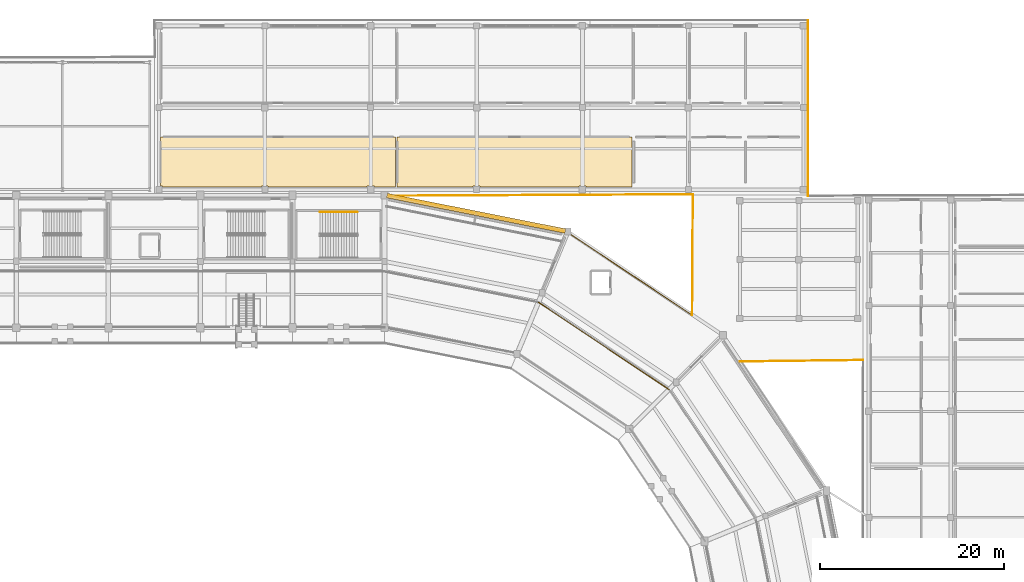
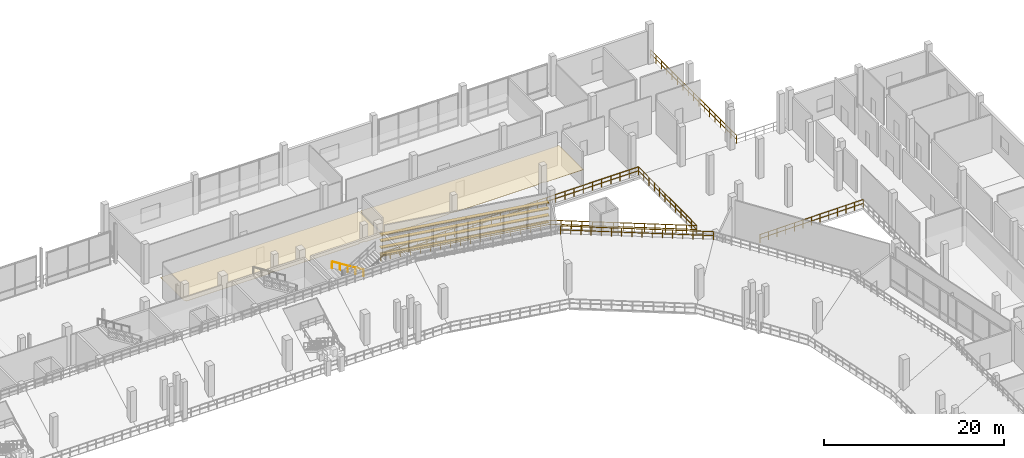
# One storey, part 126 of 127: 8 railings, 4 shading devices, 2 coverings.
"""IFC4 building model written with IfcOpenShell, lengths in metres."""

from ifc_helpers import new_model, si_unit, direction, frame, origin, origin_2d, place, context, subcontext, project, spatial, polyline, rectangle, circle, outline, extrude, material, layer, layer_set, type_object, element, save


model = new_model("IFC4")

# Units and contexts
model_context = context("Model", 3, precision=1e-05, world=origin(), true_north=direction((0.0, 1.0)))
body_context = subcontext(model_context, "Body", "Model", "MODEL_VIEW")
ifc_project = project(units=[si_unit("LENGTHUNIT", "METRE"), si_unit("AREAUNIT", "SQUARE_METRE"), si_unit("VOLUMEUNIT", "CUBIC_METRE"), si_unit("PLANEANGLEUNIT", "RADIAN"), si_unit("MASSUNIT", "GRAM", prefix="KILO")], contexts=[model_context])

# Site, building, storey
site_placement = place(None, origin())
site = spatial("IfcSite", under=ifc_project, at=site_placement, CompositionType="ELEMENT")
building_placement = place(site_placement, origin())
building = spatial("IfcBuilding", under=site, at=building_placement, Name="Candeia Ridge Stadium", CompositionType="ELEMENT")
storey_placement = place(building_placement, frame((0.0, 0.0, 10.800048828125)))
storey = spatial("IfcBuildingStorey", under=building, at=storey_placement, Name="L02", CompositionType="ELEMENT", Elevation=10.800048828125)

# Coverings
ifc_material_1 = material(Name="Western Red Cedar Acoustic Slat", Category="wood")
ifc_layer_1 = layer(ifc_material_1, 0.044921875, Name="Western Red Cedar Acoustic Slat", Category="wood")
ifc_layer_set_1 = layer_set([ifc_layer_1], Name="Western Red Cedar Acoustic Slat")
covering_type = type_object("IfcCoveringType", Name="Slatted Cedar Acoustic Ceiling 45", PredefinedType="CEILING", material=ifc_layer_set_1)
covering_1_placement = place(storey_placement, frame((0.0, 0.0, 2.510009765625)))
element("IfcCovering", 1, at=covering_1_placement, inside=storey, type_object=covering_type, Name="Acoustic ceiling North Corporate Suite N01 Bowl Side", PredefinedType="CEILING", context=body_context, shape_type="SweptSolid", body=[
    extrude(outline(polyline([(116.670166015625, 153.302978515625), (116.670654296875, 153.305908203125), (116.67138671875, 153.30859375), (116.67236328125, 153.3115234375), (116.673583984375, 153.314208984375), (116.675048828125, 153.316650390625), (116.6767578125, 153.319091796875), (116.6787109375, 153.3212890625), (116.680908203125, 153.3232421875), (116.683349609375, 153.324951171875), (116.685791015625, 153.326416015625), (116.6884765625, 153.32763671875), (116.69140625, 153.32861328125), (116.694091796875, 153.329345703125), (116.697021484375, 153.329833984375), (116.699951171875, 153.330078125), (142.178955078125, 153.330078125), (142.181884765625, 153.329833984375), (142.184814453125, 153.329345703125), (142.187744140625, 153.32861328125), (142.1904296875, 153.32763671875), (142.193115234375, 153.326416015625), (142.19580078125, 153.324951171875), (142.197998046875, 153.3232421875), (142.2001953125, 153.3212890625), (142.2021484375, 153.319091796875), (142.203857421875, 153.316650390625), (142.20556640625, 153.314208984375), (142.206787109375, 153.3115234375), (142.207763671875, 153.30859375), (142.20849609375, 153.305908203125), (142.208984375, 153.302978515625), (142.208984375, 153.300048828125), (142.208984375, 147.89990234375), (142.208984375, 147.897216796875), (142.20849609375, 147.89404296875), (142.207763671875, 147.891357421875), (142.206787109375, 147.888427734375), (142.20556640625, 147.885986328125), (142.203857421875, 147.88330078125), (142.2021484375, 147.881103515625), (142.2001953125, 147.87890625), (142.197998046875, 147.876708984375), (142.19580078125, 147.875), (142.193115234375, 147.87353515625), (142.1904296875, 147.872314453125), (142.187744140625, 147.871337890625), (142.184814453125, 147.87060546875), (142.181884765625, 147.8701171875), (142.178955078125, 147.8701171875), (139.889892578125, 147.8701171875), (139.889892578125, 147.989990234375), (139.110107421875, 147.989990234375), (139.110107421875, 147.8701171875), (128.364990234375, 147.8701171875), (128.364990234375, 147.965087890625), (127.635009765625, 147.965087890625), (127.635009765625, 147.8701171875), (116.889892578125, 147.8701171875), (116.889892578125, 147.989990234375), (116.669921875, 147.989990234375), (116.669921875, 153.300048828125), (116.670166015625, 153.302978515625)])), origin(), (0.0, 0.0, 1.0), 0.0400390625),
])
covering_2_placement = place(storey_placement, frame((0.0, 0.0, 2.510009765625)))
element("IfcCovering", 2, at=covering_2_placement, inside=storey, type_object=covering_type, Name="Acoustic ceiling North Corporate Suite N02 Bowl Side", PredefinedType="CEILING", context=body_context, shape_type="SweptSolid", body=[
    extrude(outline(polyline([(142.373046875, 147.87060546875), (142.370361328125, 147.871337890625), (142.367431640625, 147.872314453125), (142.364990234375, 147.87353515625), (142.3623046875, 147.875), (142.360107421875, 147.876708984375), (142.35791015625, 147.87890625), (142.355712890625, 147.881103515625), (142.35400390625, 147.88330078125), (142.3525390625, 147.885986328125), (142.351318359375, 147.888427734375), (142.350341796875, 147.891357421875), (142.349609375, 147.89404296875), (142.34912109375, 147.897216796875), (142.34912109375, 147.89990234375), (142.34912109375, 153.300048828125), (142.34912109375, 153.302978515625), (142.349609375, 153.305908203125), (142.350341796875, 153.30859375), (142.351318359375, 153.3115234375), (142.3525390625, 153.314208984375), (142.35400390625, 153.316650390625), (142.355712890625, 153.319091796875), (142.35791015625, 153.3212890625), (142.360107421875, 153.3232421875), (142.3623046875, 153.324951171875), (142.364990234375, 153.326416015625), (142.367431640625, 153.32763671875), (142.370361328125, 153.32861328125), (142.373046875, 153.329345703125), (142.376220703125, 153.329833984375), (142.37890625, 153.330078125), (167.85791015625, 153.330078125), (167.86083984375, 153.329833984375), (167.864013671875, 153.329345703125), (167.86669921875, 153.32861328125), (167.869384765625, 153.32763671875), (167.8720703125, 153.326416015625), (167.874755859375, 153.324951171875), (167.876953125, 153.3232421875), (167.879150390625, 153.3212890625), (167.881103515625, 153.319091796875), (167.8828125, 153.316650390625), (167.884521484375, 153.314208984375), (167.8857421875, 153.3115234375), (167.88671875, 153.30859375), (167.887451171875, 153.305908203125), (167.887939453125, 153.302978515625), (167.887939453125, 153.300048828125), (167.887939453125, 147.89990234375), (167.887939453125, 147.897216796875), (167.887451171875, 147.89404296875), (167.88671875, 147.891357421875), (167.8857421875, 147.888427734375), (167.884521484375, 147.885986328125), (167.8828125, 147.88330078125), (167.881103515625, 147.881103515625), (167.879150390625, 147.87890625), (167.876953125, 147.876708984375), (167.874755859375, 147.875), (167.8720703125, 147.87353515625), (167.869384765625, 147.872314453125), (167.86669921875, 147.871337890625), (167.864013671875, 147.87060546875), (167.86083984375, 147.8701171875), (167.85791015625, 147.8701171875), (162.889892578125, 147.8701171875), (162.889892578125, 147.989990234375), (162.110107421875, 147.989990234375), (162.110107421875, 147.8701171875), (151.364990234375, 147.8701171875), (151.364990234375, 147.965087890625), (150.635009765625, 147.965087890625), (150.635009765625, 147.8701171875), (142.37890625, 147.8701171875), (142.376220703125, 147.8701171875), (142.373046875, 147.87060546875)])), origin(), (0.0, 0.0, 1.0), 0.0400390625),
])

# Railings
ifc_material_2 = material(Name="Galvanized Powder-Coated Steel", Category="steel")
ifc_layer_2 = layer(ifc_material_2, 0.074951171875, Name="Galvanized Powder-Coated Steel", Category="steel")
ifc_layer_set_2 = layer_set([ifc_layer_2], Name="Galvanized Powder-Coated Steel")
railing_type_1 = type_object("IfcRailingType", Name="Spectator Bowl Front Guardrail 1120", PredefinedType="GUARDRAIL", material=ifc_layer_set_2)
railing_1_placement = place(storey_placement, frame((171.886474609375, 125.886474609375, 4.949951171875)))
element("IfcRailing", 3, at=railing_1_placement, inside=storey, type_object=railing_type_1, Name="Stand T2 rear safety guardrail bay 35", PredefinedType="GUARDRAIL", context=body_context, shape_type="SweptSolid", body=[
    extrude(circle(Radius=0.02392578125, at=origin_2d()), frame((0.0, 0.0, 1.09619140625), z_axis=(-0.831474647059, 0.5555626979, 0.0), x_axis=(-0.5555626979, -0.831474647059, 0.0)), (0.0, 0.0, 1.0), 17.043212890625),
    extrude(circle(Radius=0.02392578125, at=origin_2d()), frame((0.0, 0.0, 0.56005859375), z_axis=(-0.831474647059, 0.5555626979, 0.0), x_axis=(-0.5555626979, -0.831474647059, 0.0)), (0.0, 0.0, 1.0), 17.043212890625),
    extrude(circle(Radius=0.02099609375, at=origin_2d()), origin(), (0.0, 0.0, 1.0), 1.072021484375),
    extrude(circle(Radius=0.02099609375, at=origin_2d()), frame((-0.94482421875, 0.63134765625, 0.0)), (0.0, 0.0, 1.0), 1.072021484375),
    extrude(circle(Radius=0.02099609375, at=origin_2d()), frame((-1.889404296875, 1.262451171875, 0.0)), (0.0, 0.0, 1.0), 1.072021484375),
    extrude(circle(Radius=0.02099609375, at=origin_2d()), frame((-2.834228515625, 1.893798828125, 0.0)), (0.0, 0.0, 1.0), 1.072021484375),
    extrude(circle(Radius=0.02099609375, at=origin_2d()), frame((-3.77880859375, 2.52490234375, 0.0)), (0.0, 0.0, 1.0), 1.072021484375),
    extrude(circle(Radius=0.02099609375, at=origin_2d()), frame((-4.7236328125, 3.15625, 0.0)), (0.0, 0.0, 1.0), 1.072021484375),
    extrude(circle(Radius=0.02099609375, at=origin_2d()), frame((-5.66845703125, 3.787353515625, 0.0)), (0.0, 0.0, 1.0), 1.072021484375),
    extrude(circle(Radius=0.02099609375, at=origin_2d()), frame((-6.613037109375, 4.418701171875, 0.0)), (0.0, 0.0, 1.0), 1.072021484375),
    extrude(circle(Radius=0.02099609375, at=origin_2d()), frame((-7.557861328125, 5.0498046875, 0.0)), (0.0, 0.0, 1.0), 1.072021484375),
    extrude(circle(Radius=0.02099609375, at=origin_2d()), frame((-8.50244140625, 5.68115234375, 0.0)), (0.0, 0.0, 1.0), 1.072021484375),
    extrude(circle(Radius=0.02099609375, at=origin_2d()), frame((-9.447265625, 6.312255859375, 0.0)), (0.0, 0.0, 1.0), 1.072021484375),
    extrude(circle(Radius=0.02099609375, at=origin_2d()), frame((-10.39208984375, 6.943603515625, 0.0)), (0.0, 0.0, 1.0), 1.072021484375),
    extrude(circle(Radius=0.02099609375, at=origin_2d()), frame((-11.336669921875, 7.57470703125, 0.0)), (0.0, 0.0, 1.0), 1.072021484375),
    extrude(circle(Radius=0.02099609375, at=origin_2d()), frame((-12.281494140625, 8.2060546875, 0.0)), (0.0, 0.0, 1.0), 1.072021484375),
    extrude(circle(Radius=0.02099609375, at=origin_2d()), frame((-13.22607421875, 8.837158203125, 0.0)), (0.0, 0.0, 1.0), 1.072021484375),
    extrude(circle(Radius=0.02099609375, at=origin_2d()), frame((-14.1708984375, 9.468505859375, 0.0)), (0.0, 0.0, 1.0), 1.072021484375),
])
railing_2_placement = place(storey_placement, frame((187.0, 166.0, 0.0)))
element("IfcRailing", 4, at=railing_2_placement, inside=storey, type_object=railing_type_1, Name="Deck edge safety guardrail GR-DE-L02-0061", PredefinedType="GUARDRAIL", context=body_context, shape_type="SweptSolid", body=[
    extrude(circle(Radius=0.02392578125, at=origin_2d()), frame((0.0, 0.0, 1.09619140625), z_axis=(0.0, -1.0, 0.0), x_axis=(1.0, 0.0, 0.0)), (0.0, 0.0, 1.0), 19.080078125),
    extrude(circle(Radius=0.02392578125, at=origin_2d()), frame((0.0, 0.0, 0.56005859375), z_axis=(0.0, -1.0, 0.0), x_axis=(1.0, 0.0, 0.0)), (0.0, 0.0, 1.0), 19.080078125),
    extrude(circle(Radius=0.02099609375, at=origin_2d()), origin(), (0.0, 0.0, 1.0), 1.072021484375),
    extrude(circle(Radius=0.02099609375, at=origin_2d()), frame((0.0, -1.1923828125, 0.0)), (0.0, 0.0, 1.0), 1.072021484375),
    extrude(circle(Radius=0.02099609375, at=origin_2d()), frame((0.0, -2.385009765625, 0.0)), (0.0, 0.0, 1.0), 1.072021484375),
    extrude(circle(Radius=0.02099609375, at=origin_2d()), frame((0.0, -3.57763671875, 0.0)), (0.0, 0.0, 1.0), 1.072021484375),
    extrude(circle(Radius=0.02099609375, at=origin_2d()), frame((0.0, -4.77001953125, 0.0)), (0.0, 0.0, 1.0), 1.072021484375),
    extrude(circle(Radius=0.02099609375, at=origin_2d()), frame((0.0, -5.96240234375, 0.0)), (0.0, 0.0, 1.0), 1.072021484375),
    extrude(circle(Radius=0.02099609375, at=origin_2d()), frame((0.0, -7.155029296875, 0.0)), (0.0, 0.0, 1.0), 1.072021484375),
    extrude(circle(Radius=0.02099609375, at=origin_2d()), frame((0.0, -8.34765625, 0.0)), (0.0, 0.0, 1.0), 1.072021484375),
    extrude(circle(Radius=0.02099609375, at=origin_2d()), frame((0.0, -9.5400390625, 0.0)), (0.0, 0.0, 1.0), 1.072021484375),
    extrude(circle(Radius=0.02099609375, at=origin_2d()), frame((0.0, -10.732421875, 0.0)), (0.0, 0.0, 1.0), 1.072021484375),
    extrude(circle(Radius=0.02099609375, at=origin_2d()), frame((0.0, -11.925048828125, 0.0)), (0.0, 0.0, 1.0), 1.072021484375),
    extrude(circle(Radius=0.02099609375, at=origin_2d()), frame((0.0, -13.11767578125, 0.0)), (0.0, 0.0, 1.0), 1.072021484375),
    extrude(circle(Radius=0.02099609375, at=origin_2d()), frame((0.0, -14.31005859375, 0.0)), (0.0, 0.0, 1.0), 1.072021484375),
    extrude(circle(Radius=0.02099609375, at=origin_2d()), frame((0.0, -15.50244140625, 0.0)), (0.0, 0.0, 1.0), 1.072021484375),
    extrude(circle(Radius=0.02099609375, at=origin_2d()), frame((0.0, -16.695068359375, 0.0)), (0.0, 0.0, 1.0), 1.072021484375),
    extrude(circle(Radius=0.02099609375, at=origin_2d()), frame((0.0, -17.8876953125, 0.0)), (0.0, 0.0, 1.0), 1.072021484375),
    extrude(circle(Radius=0.02099609375, at=origin_2d()), frame((0.0, -19.080078125, 0.0)), (0.0, 0.0, 1.0), 1.072021484375),
])
railing_3_placement = place(storey_placement, frame((193.0, 129.080078125, 0.0)))
element("IfcRailing", 5, at=railing_3_placement, inside=storey, type_object=railing_type_1, Name="Deck edge safety guardrail GR-DE-L02-0076", PredefinedType="GUARDRAIL", context=body_context, shape_type="SweptSolid", body=[
    extrude(circle(Radius=0.02392578125, at=origin_2d()), frame((0.0, 0.0, 1.09619140625), z_axis=(-0.999928368095, -0.011969071773, 0.0), x_axis=(0.011969071773, -0.999928368095, 0.0)), (0.0, 0.0, 1.0), 13.380859375),
    extrude(circle(Radius=0.02392578125, at=origin_2d()), frame((0.0, 0.0, 0.56005859375), z_axis=(-0.999928368095, -0.011969071773, 0.0), x_axis=(0.011969071773, -0.999928368095, 0.0)), (0.0, 0.0, 1.0), 13.380859375),
    extrude(circle(Radius=0.02099609375, at=origin_2d()), origin(), (0.0, 0.0, 1.0), 1.072021484375),
    extrude(circle(Radius=0.02099609375, at=origin_2d()), frame((-1.114990234375, -0.013427734375, 0.0)), (0.0, 0.0, 1.0), 1.072021484375),
    extrude(circle(Radius=0.02099609375, at=origin_2d()), frame((-2.22998046875, -0.026611328125, 0.0)), (0.0, 0.0, 1.0), 1.072021484375),
    extrude(circle(Radius=0.02099609375, at=origin_2d()), frame((-3.344970703125, -0.0400390625, 0.0)), (0.0, 0.0, 1.0), 1.072021484375),
    extrude(circle(Radius=0.02099609375, at=origin_2d()), frame((-4.4599609375, -0.053466796875, 0.0)), (0.0, 0.0, 1.0), 1.072021484375),
    extrude(circle(Radius=0.02099609375, at=origin_2d()), frame((-5.574951171875, -0.066650390625, 0.0)), (0.0, 0.0, 1.0), 1.072021484375),
    extrude(circle(Radius=0.02099609375, at=origin_2d()), frame((-6.68994140625, -0.080078125, 0.0)), (0.0, 0.0, 1.0), 1.072021484375),
    extrude(circle(Radius=0.02099609375, at=origin_2d()), frame((-7.804931640625, -0.093505859375, 0.0)), (0.0, 0.0, 1.0), 1.072021484375),
    extrude(circle(Radius=0.02099609375, at=origin_2d()), frame((-8.919921875, -0.106689453125, 0.0)), (0.0, 0.0, 1.0), 1.072021484375),
    extrude(circle(Radius=0.02099609375, at=origin_2d()), frame((-10.034912109375, -0.1201171875, 0.0)), (0.0, 0.0, 1.0), 1.072021484375),
    extrude(circle(Radius=0.02099609375, at=origin_2d()), frame((-11.14990234375, -0.133544921875, 0.0)), (0.0, 0.0, 1.0), 1.072021484375),
    extrude(circle(Radius=0.02099609375, at=origin_2d()), frame((-12.264892578125, -0.146728515625, 0.0)), (0.0, 0.0, 1.0), 1.072021484375),
    extrude(circle(Radius=0.02099609375, at=origin_2d()), frame((-13.3798828125, -0.16015625, 0.0)), (0.0, 0.0, 1.0), 1.072021484375),
])
railing_4_placement = place(storey_placement, frame((141.3232421875, 147.017333984375, 0.0)))
element("IfcRailing", 6, at=railing_4_placement, inside=storey, type_object=railing_type_1, Name="Deck edge safety guardrail GR-DE-L02-0123", PredefinedType="GUARDRAIL", context=body_context, shape_type="SweptSolid", body=[
    extrude(circle(Radius=0.02392578125, at=origin_2d()), frame((0.0, 0.0, 1.09619140625), z_axis=(0.97924861021, -0.202662673924, 0.0), x_axis=(0.202662673924, 0.97924861021, 0.0)), (0.0, 0.0, 1.0), 19.945556640625),
    extrude(circle(Radius=0.02392578125, at=origin_2d()), frame((0.0, 0.0, 0.56005859375), z_axis=(0.97924861021, -0.202662673924, 0.0), x_axis=(0.202662673924, 0.97924861021, 0.0)), (0.0, 0.0, 1.0), 19.945556640625),
    extrude(circle(Radius=0.02099609375, at=origin_2d()), origin(), (0.0, 0.0, 1.0), 1.072021484375),
    extrude(circle(Radius=0.02099609375, at=origin_2d()), frame((1.14892578125, -0.23779296875, 0.0)), (0.0, 0.0, 1.0), 1.072021484375),
    extrude(circle(Radius=0.02099609375, at=origin_2d()), frame((2.2978515625, -0.4755859375, 0.0)), (0.0, 0.0, 1.0), 1.072021484375),
    extrude(circle(Radius=0.02099609375, at=origin_2d()), frame((3.44677734375, -0.71337890625, 0.0)), (0.0, 0.0, 1.0), 1.072021484375),
    extrude(circle(Radius=0.02099609375, at=origin_2d()), frame((4.595703125, -0.951171875, 0.0)), (0.0, 0.0, 1.0), 1.072021484375),
    extrude(circle(Radius=0.02099609375, at=origin_2d()), frame((5.74462890625, -1.18896484375, 0.0)), (0.0, 0.0, 1.0), 1.072021484375),
    extrude(circle(Radius=0.02099609375, at=origin_2d()), frame((6.8935546875, -1.4267578125, 0.0)), (0.0, 0.0, 1.0), 1.072021484375),
    extrude(circle(Radius=0.02099609375, at=origin_2d()), frame((8.04248046875, -1.66455078125, 0.0)), (0.0, 0.0, 1.0), 1.072021484375),
    extrude(circle(Radius=0.02099609375, at=origin_2d()), frame((9.19140625, -1.90234375, 0.0)), (0.0, 0.0, 1.0), 1.072021484375),
    extrude(circle(Radius=0.02099609375, at=origin_2d()), frame((10.34033203125, -2.139892578125, 0.0)), (0.0, 0.0, 1.0), 1.072021484375),
    extrude(circle(Radius=0.02099609375, at=origin_2d()), frame((11.4892578125, -2.377685546875, 0.0)), (0.0, 0.0, 1.0), 1.072021484375),
    extrude(circle(Radius=0.02099609375, at=origin_2d()), frame((12.63818359375, -2.615478515625, 0.0)), (0.0, 0.0, 1.0), 1.072021484375),
    extrude(circle(Radius=0.02099609375, at=origin_2d()), frame((13.787109375, -2.853271484375, 0.0)), (0.0, 0.0, 1.0), 1.072021484375),
    extrude(circle(Radius=0.02099609375, at=origin_2d()), frame((14.93603515625, -3.091064453125, 0.0)), (0.0, 0.0, 1.0), 1.072021484375),
    extrude(circle(Radius=0.02099609375, at=origin_2d()), frame((16.0849609375, -3.328857421875, 0.0)), (0.0, 0.0, 1.0), 1.072021484375),
    extrude(circle(Radius=0.02099609375, at=origin_2d()), frame((17.23388671875, -3.566650390625, 0.0)), (0.0, 0.0, 1.0), 1.072021484375),
    extrude(circle(Radius=0.02099609375, at=origin_2d()), frame((18.3828125, -3.804443359375, 0.0)), (0.0, 0.0, 1.0), 1.072021484375),
    extrude(circle(Radius=0.02099609375, at=origin_2d()), frame((19.53173828125, -4.042236328125, 0.0)), (0.0, 0.0, 1.0), 1.072021484375),
])
railing_5_placement = place(storey_placement, frame((160.85498046875, 142.97509765625, 0.0)))
element("IfcRailing", 7, at=railing_5_placement, inside=storey, type_object=railing_type_1, Name="Deck edge safety guardrail GR-DE-L02-0124", PredefinedType="GUARDRAIL", context=body_context, shape_type="SweptSolid", body=[
    extrude(circle(Radius=0.02392578125, at=origin_2d()), frame((0.0, 0.0, 1.09619140625), z_axis=(0.832681494544, -0.553752226763, 0.0), x_axis=(0.553752226763, 0.832681494544, 0.0)), (0.0, 0.0, 1.0), 16.290771484375),
    extrude(circle(Radius=0.02392578125, at=origin_2d()), frame((0.0, 0.0, 0.56005859375), z_axis=(0.832681494544, -0.553752226763, 0.0), x_axis=(0.553752226763, 0.832681494544, 0.0)), (0.0, 0.0, 1.0), 16.290771484375),
    extrude(circle(Radius=0.02099609375, at=origin_2d()), origin(), (0.0, 0.0, 1.0), 1.072021484375),
    extrude(circle(Radius=0.02099609375, at=origin_2d()), frame((0.968994140625, -0.644287109375, 0.0)), (0.0, 0.0, 1.0), 1.072021484375),
    extrude(circle(Radius=0.02099609375, at=origin_2d()), frame((1.937744140625, -1.288818359375, 0.0)), (0.0, 0.0, 1.0), 1.072021484375),
    extrude(circle(Radius=0.02099609375, at=origin_2d()), frame((2.90673828125, -1.93310546875, 0.0)), (0.0, 0.0, 1.0), 1.072021484375),
    extrude(circle(Radius=0.02099609375, at=origin_2d()), frame((3.875732421875, -2.577392578125, 0.0)), (0.0, 0.0, 1.0), 1.072021484375),
    extrude(circle(Radius=0.02099609375, at=origin_2d()), frame((4.8447265625, -3.2216796875, 0.0)), (0.0, 0.0, 1.0), 1.072021484375),
    extrude(circle(Radius=0.02099609375, at=origin_2d()), frame((5.8134765625, -3.8662109375, 0.0)), (0.0, 0.0, 1.0), 1.072021484375),
    extrude(circle(Radius=0.02099609375, at=origin_2d()), frame((6.782470703125, -4.510498046875, 0.0)), (0.0, 0.0, 1.0), 1.072021484375),
    extrude(circle(Radius=0.02099609375, at=origin_2d()), frame((7.75146484375, -5.15478515625, 0.0)), (0.0, 0.0, 1.0), 1.072021484375),
    extrude(circle(Radius=0.02099609375, at=origin_2d()), frame((8.72021484375, -5.79931640625, 0.0)), (0.0, 0.0, 1.0), 1.072021484375),
    extrude(circle(Radius=0.02099609375, at=origin_2d()), frame((9.689208984375, -6.443603515625, 0.0)), (0.0, 0.0, 1.0), 1.072021484375),
    extrude(circle(Radius=0.02099609375, at=origin_2d()), frame((10.658203125, -7.087890625, 0.0)), (0.0, 0.0, 1.0), 1.072021484375),
    extrude(circle(Radius=0.02099609375, at=origin_2d()), frame((11.627197265625, -7.732177734375, 0.0)), (0.0, 0.0, 1.0), 1.072021484375),
    extrude(circle(Radius=0.02099609375, at=origin_2d()), frame((12.595947265625, -8.376708984375, 0.0)), (0.0, 0.0, 1.0), 1.072021484375),
    extrude(circle(Radius=0.02099609375, at=origin_2d()), frame((13.56494140625, -9.02099609375, 0.0)), (0.0, 0.0, 1.0), 1.072021484375),
])
railing_6_placement = place(storey_placement, frame((174.419921875, 133.9541015625, 0.0)))
element("IfcRailing", 8, at=railing_6_placement, inside=storey, type_object=railing_type_1, Name="Deck edge safety guardrail GR-DE-L02-0125", PredefinedType="GUARDRAIL", context=body_context, shape_type="SweptSolid", body=[
    extrude(circle(Radius=0.02392578125, at=origin_2d()), frame((0.0, 0.0, 1.09619140625), z_axis=(0.006100623024, 0.999981391026, 0.0), x_axis=(-0.999981391026, 0.006100623024, 0.0)), (0.0, 0.0, 1.0), 13.126220703125),
    extrude(circle(Radius=0.02392578125, at=origin_2d()), frame((0.0, 0.0, 0.56005859375), z_axis=(0.006100623024, 0.999981391026, 0.0), x_axis=(-0.999981391026, 0.006100623024, 0.0)), (0.0, 0.0, 1.0), 13.126220703125),
    extrude(circle(Radius=0.02099609375, at=origin_2d()), origin(), (0.0, 0.0, 1.0), 1.072021484375),
    extrude(circle(Radius=0.02099609375, at=origin_2d()), frame((0.00732421875, 1.193359375, 0.0)), (0.0, 0.0, 1.0), 1.072021484375),
    extrude(circle(Radius=0.02099609375, at=origin_2d()), frame((0.0146484375, 2.386474609375, 0.0)), (0.0, 0.0, 1.0), 1.072021484375),
    extrude(circle(Radius=0.02099609375, at=origin_2d()), frame((0.021728515625, 3.579833984375, 0.0)), (0.0, 0.0, 1.0), 1.072021484375),
    extrude(circle(Radius=0.02099609375, at=origin_2d()), frame((0.029052734375, 4.773193359375, 0.0)), (0.0, 0.0, 1.0), 1.072021484375),
    extrude(circle(Radius=0.02099609375, at=origin_2d()), frame((0.036376953125, 5.96630859375, 0.0)), (0.0, 0.0, 1.0), 1.072021484375),
    extrude(circle(Radius=0.02099609375, at=origin_2d()), frame((0.043701171875, 7.15966796875, 0.0)), (0.0, 0.0, 1.0), 1.072021484375),
    extrude(circle(Radius=0.02099609375, at=origin_2d()), frame((0.051025390625, 8.352783203125, 0.0)), (0.0, 0.0, 1.0), 1.072021484375),
    extrude(circle(Radius=0.02099609375, at=origin_2d()), frame((0.058349609375, 9.546142578125, 0.0)), (0.0, 0.0, 1.0), 1.072021484375),
    extrude(circle(Radius=0.02099609375, at=origin_2d()), frame((0.0654296875, 10.739501953125, 0.0)), (0.0, 0.0, 1.0), 1.072021484375),
    extrude(circle(Radius=0.02099609375, at=origin_2d()), frame((0.07275390625, 11.9326171875, 0.0)), (0.0, 0.0, 1.0), 1.072021484375),
    extrude(circle(Radius=0.02099609375, at=origin_2d()), frame((0.080078125, 13.1259765625, 0.0)), (0.0, 0.0, 1.0), 1.072021484375),
])
railing_7_placement = place(storey_placement, frame((174.5, 147.080078125, 0.0)))
element("IfcRailing", 9, at=railing_7_placement, inside=storey, type_object=railing_type_1, Name="Deck edge safety guardrail GR-DE-L02-0126", PredefinedType="GUARDRAIL", context=body_context, shape_type="SweptSolid", body=[
    extrude(circle(Radius=0.02392578125, at=origin_2d()), frame((0.0, 0.0, 1.09619140625), z_axis=(-0.999988355172, -0.004825921688, 0.0), x_axis=(0.004825921688, -0.999988355172, 0.0)), (0.0, 0.0, 1.0), 33.186767578125),
    extrude(circle(Radius=0.02392578125, at=origin_2d()), frame((0.0, 0.0, 0.56005859375), z_axis=(-0.999988355172, -0.004825921688, 0.0), x_axis=(0.004825921688, -0.999988355172, 0.0)), (0.0, 0.0, 1.0), 33.186767578125),
    extrude(circle(Radius=0.02099609375, at=origin_2d()), origin(), (0.0, 0.0, 1.0), 1.072021484375),
    extrude(circle(Radius=0.02099609375, at=origin_2d()), frame((-1.185302734375, -0.005615234375, 0.0)), (0.0, 0.0, 1.0), 1.072021484375),
    extrude(circle(Radius=0.02099609375, at=origin_2d()), frame((-2.370361328125, -0.011474609375, 0.0)), (0.0, 0.0, 1.0), 1.072021484375),
    extrude(circle(Radius=0.02099609375, at=origin_2d()), frame((-3.5556640625, -0.01708984375, 0.0)), (0.0, 0.0, 1.0), 1.072021484375),
    extrude(circle(Radius=0.02099609375, at=origin_2d()), frame((-4.740966796875, -0.02294921875, 0.0)), (0.0, 0.0, 1.0), 1.072021484375),
    extrude(circle(Radius=0.02099609375, at=origin_2d()), frame((-5.926025390625, -0.028564453125, 0.0)), (0.0, 0.0, 1.0), 1.072021484375),
    extrude(circle(Radius=0.02099609375, at=origin_2d()), frame((-7.111328125, -0.034423828125, 0.0)), (0.0, 0.0, 1.0), 1.072021484375),
    extrude(circle(Radius=0.02099609375, at=origin_2d()), frame((-8.296630859375, -0.0400390625, 0.0)), (0.0, 0.0, 1.0), 1.072021484375),
    extrude(circle(Radius=0.02099609375, at=origin_2d()), frame((-9.481689453125, -0.045654296875, 0.0)), (0.0, 0.0, 1.0), 1.072021484375),
    extrude(circle(Radius=0.02099609375, at=origin_2d()), frame((-10.6669921875, -0.051513671875, 0.0)), (0.0, 0.0, 1.0), 1.072021484375),
    extrude(circle(Radius=0.02099609375, at=origin_2d()), frame((-11.852294921875, -0.05712890625, 0.0)), (0.0, 0.0, 1.0), 1.072021484375),
    extrude(circle(Radius=0.02099609375, at=origin_2d()), frame((-13.037353515625, -0.06298828125, 0.0)), (0.0, 0.0, 1.0), 1.072021484375),
    extrude(circle(Radius=0.02099609375, at=origin_2d()), frame((-14.22265625, -0.068603515625, 0.0)), (0.0, 0.0, 1.0), 1.072021484375),
    extrude(circle(Radius=0.02099609375, at=origin_2d()), frame((-15.407958984375, -0.074462890625, 0.0)), (0.0, 0.0, 1.0), 1.072021484375),
    extrude(circle(Radius=0.02099609375, at=origin_2d()), frame((-16.59326171875, -0.080078125, 0.0)), (0.0, 0.0, 1.0), 1.072021484375),
    extrude(circle(Radius=0.02099609375, at=origin_2d()), frame((-17.7783203125, -0.085693359375, 0.0)), (0.0, 0.0, 1.0), 1.072021484375),
    extrude(circle(Radius=0.02099609375, at=origin_2d()), frame((-18.963623046875, -0.091552734375, 0.0)), (0.0, 0.0, 1.0), 1.072021484375),
    extrude(circle(Radius=0.02099609375, at=origin_2d()), frame((-20.14892578125, -0.09716796875, 0.0)), (0.0, 0.0, 1.0), 1.072021484375),
    extrude(circle(Radius=0.02099609375, at=origin_2d()), frame((-21.333984375, -0.10302734375, 0.0)), (0.0, 0.0, 1.0), 1.072021484375),
    extrude(circle(Radius=0.02099609375, at=origin_2d()), frame((-22.519287109375, -0.108642578125, 0.0)), (0.0, 0.0, 1.0), 1.072021484375),
    extrude(circle(Radius=0.02099609375, at=origin_2d()), frame((-23.70458984375, -0.114501953125, 0.0)), (0.0, 0.0, 1.0), 1.072021484375),
    extrude(circle(Radius=0.02099609375, at=origin_2d()), frame((-24.8896484375, -0.1201171875, 0.0)), (0.0, 0.0, 1.0), 1.072021484375),
    extrude(circle(Radius=0.02099609375, at=origin_2d()), frame((-26.074951171875, -0.125732421875, 0.0)), (0.0, 0.0, 1.0), 1.072021484375),
    extrude(circle(Radius=0.02099609375, at=origin_2d()), frame((-27.26025390625, -0.131591796875, 0.0)), (0.0, 0.0, 1.0), 1.072021484375),
    extrude(circle(Radius=0.02099609375, at=origin_2d()), frame((-28.4453125, -0.13720703125, 0.0)), (0.0, 0.0, 1.0), 1.072021484375),
    extrude(circle(Radius=0.02099609375, at=origin_2d()), frame((-29.630615234375, -0.14306640625, 0.0)), (0.0, 0.0, 1.0), 1.072021484375),
    extrude(circle(Radius=0.02099609375, at=origin_2d()), frame((-30.81591796875, -0.148681640625, 0.0)), (0.0, 0.0, 1.0), 1.072021484375),
    extrude(circle(Radius=0.02099609375, at=origin_2d()), frame((-32.0009765625, -0.154541015625, 0.0)), (0.0, 0.0, 1.0), 1.072021484375),
    extrude(circle(Radius=0.02099609375, at=origin_2d()), frame((-33.186279296875, -0.16015625, 0.0)), (0.0, 0.0, 1.0), 1.072021484375),
])
ifc_material_3 = material(Name="Brushed Stainless Steel", Category="steel")
ifc_layer_3 = layer(ifc_material_3, 0.048095703125, Name="Brushed Stainless Steel", Category="steel")
ifc_layer_set_3 = layer_set([ifc_layer_3], Name="Brushed Stainless Steel")
railing_type_2 = type_object("IfcRailingType", Name="Stair Wall & Flight Handrail 900", PredefinedType="HANDRAIL", material=ifc_layer_set_3)
railing_8_placement = place(storey_placement, frame((138.050048828125, 145.14990234375, 0.179931640625)))
element("IfcRailing", 10, at=railing_8_placement, inside=storey, type_object=railing_type_2, Name="L02 ST04 stair handrail 1", PredefinedType="HANDRAIL", context=body_context, shape_type="SweptSolid", body=[
    extrude(circle(Radius=0.02392578125, at=origin_2d()), frame((0.0, 0.0, 0.8759765625), z_axis=(-0.849641744969, 0.0, 0.527360318194), x_axis=(0.0, -1.0, 0.0)), (0.0, 0.0, 1.0), 4.778564453125),
    extrude(circle(Radius=0.02099609375, at=origin_2d()), origin(), (0.0, 0.0, 1.0), 0.851806640625),
    extrude(circle(Radius=0.02099609375, at=origin_2d()), frame((-1.01513671875, 0.0, 0.6298828125)), (0.0, 0.0, 1.0), 0.851806640625),
    extrude(circle(Radius=0.02099609375, at=origin_2d()), frame((-2.030029296875, 0.0, 1.260009765625)), (0.0, 0.0, 1.0), 0.851806640625),
    extrude(circle(Radius=0.02099609375, at=origin_2d()), frame((-3.044921875, 0.0, 1.89013671875)), (0.0, 0.0, 1.0), 0.851806640625),
    extrude(circle(Radius=0.02099609375, at=origin_2d()), frame((-4.06005859375, 0.0, 2.52001953125)), (0.0, 0.0, 1.0), 0.851806640625),
])

# Shading devices
ifc_material_4 = material(Name="Aluminium Anodized Warm Bronze", Category="aluminium")
shading_device_type = type_object("IfcShadingDeviceType", Name="Weathered Bronze Horizontal Solar Rib 500x105", PredefinedType="JALOUSIE", material=ifc_material_4)
for number, where, z_axis, x_axis, name in (
    (11, (150.94970703125, 145.020751953125, 0.874755859375), (0.0, 0.0, 1.0), (-0.980785282416, 0.195090311899, 0.0), "Weathered bronze horizontal solar rib L02 bay 36-1"),
    (12, (150.94970703125, 145.020751953125, 1.802001953125), (0.0, 0.0, 1.0), (-0.980785282416, 0.195090311899, 0.0), "Weathered bronze horizontal solar rib L02 bay 36-2"),
    (13, (150.94970703125, 145.020751953125, 2.729248046875), (0.0, 0.0, 1.0), (-0.980785282416, 0.195090311899, 0.0), "Weathered bronze horizontal solar rib L02 bay 36-3"),
    (14, (150.94970703125, 145.020751953125, 3.572265625), (0.0, 0.0, 1.0), (-0.980785282416, 0.195090311899, 0.0), "Weathered bronze horizontal solar rib L02 bay 36-4"),
):
    element("IfcShadingDevice", number, at=place(storey_placement, frame(where, z_axis=z_axis, x_axis=x_axis)), inside=storey, type_object=shading_device_type, Name=name, PredefinedType="JALOUSIE", context=body_context, shape_type="SweptSolid", body=[
        extrude(rectangle(XDim=19.789306640625, YDim=0.5, at=origin_2d()), origin(), (0.0, 0.0, 1.0), 0.10498046875),
    ])

save(model, "model.ifc")
